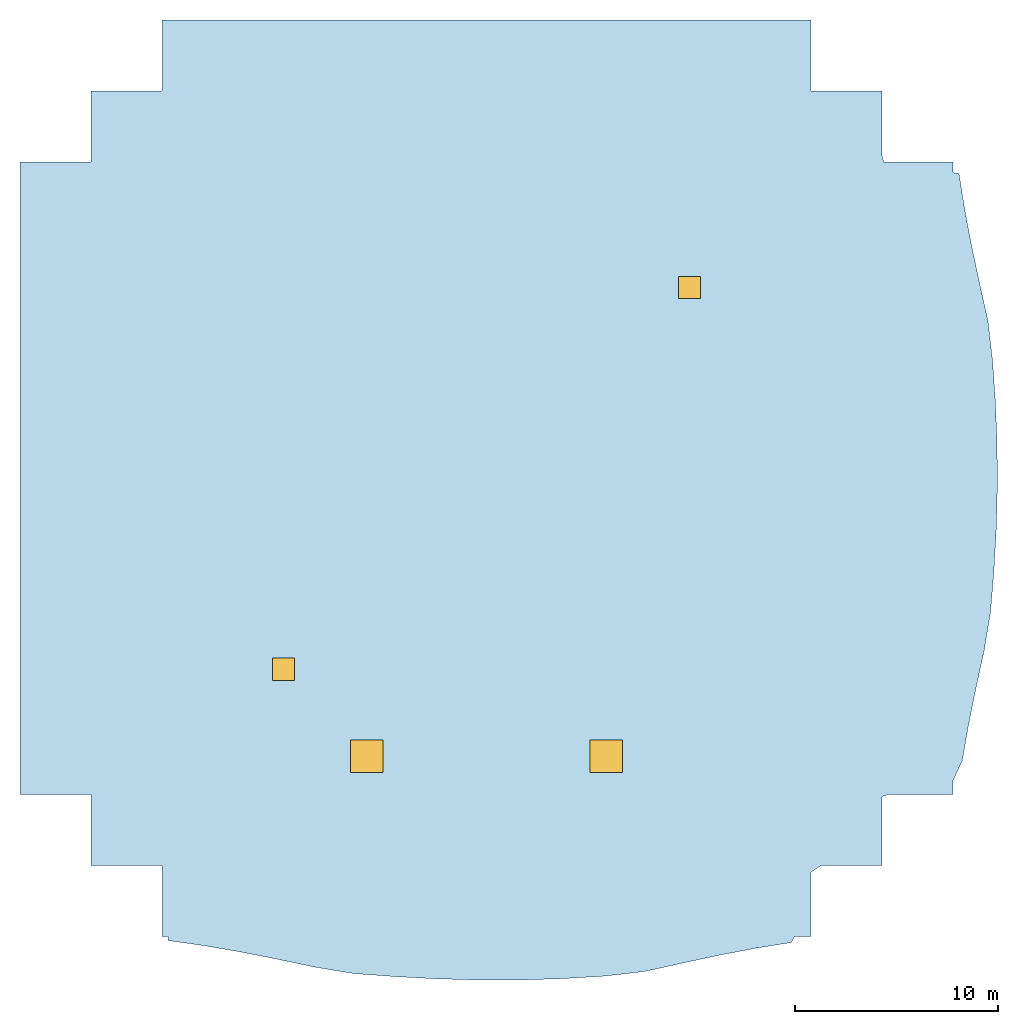
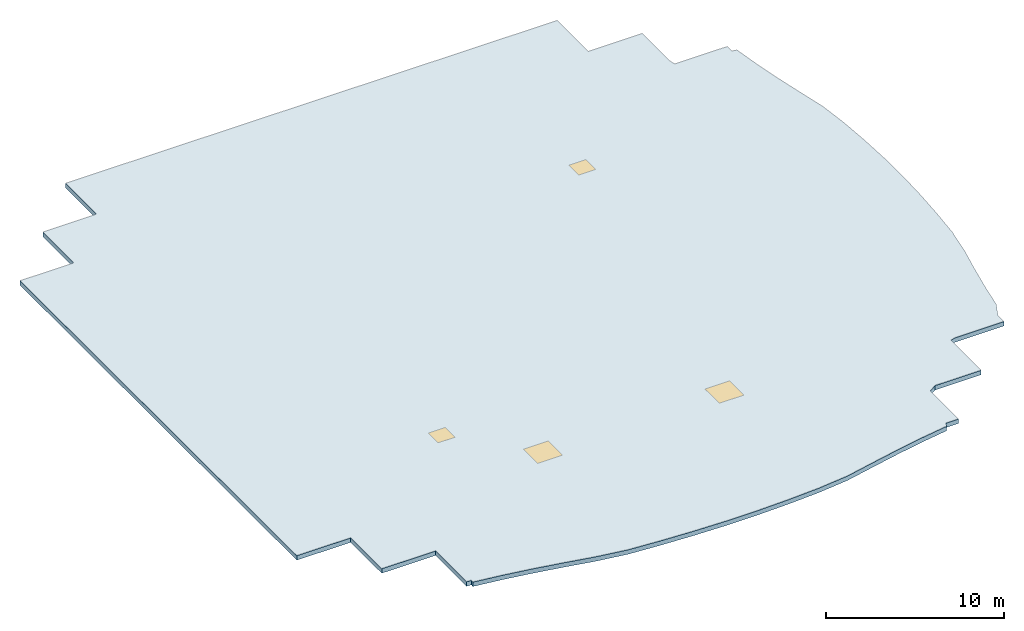
"""IFC4 building model written with IfcOpenShell, lengths in metres."""

from ifc_helpers import new_model, si_unit, direction, frame, origin, origin_2d, place, context, subcontext, project, spatial, polyline, rectangle, outline, extrude, material, layer, layer_set, type_object, element, fill, save


model = new_model("IFC4")

# Units and contexts
model_context = context("Model", 3, precision=1e-05, world=origin(), true_north=direction((0.0, 1.0)))
body_context = subcontext(model_context, "Body", "Model", "MODEL_VIEW")
ifc_project = project(units=[si_unit("LENGTHUNIT", "METRE"), si_unit("AREAUNIT", "SQUARE_METRE"), si_unit("VOLUMEUNIT", "CUBIC_METRE"), si_unit("PLANEANGLEUNIT", "RADIAN"), si_unit("MASSUNIT", "GRAM", prefix="KILO")], contexts=[model_context])

# Site, building, storey
site_placement = place(None, origin())
site = spatial("IfcSite", under=ifc_project, at=site_placement, CompositionType="ELEMENT")
building_placement = place(site_placement, origin())
building = spatial("IfcBuilding", under=site, at=building_placement, Name="Serunith Strait Residences", CompositionType="ELEMENT")
storey_1_placement = place(building_placement, frame((0.0, 0.0, 370.949951171875)))
storey_1 = spatial("IfcBuildingStorey", under=building, at=storey_1_placement, Name="RF", CompositionType="ELEMENT", Elevation=370.949951171875)

# Slab, openings
ifc_material_1 = material(Name="Concrete C50/60", Category="concrete")
ifc_layer = layer(ifc_material_1, 0.300048828125, Name="Concrete C50/60")
ifc_layer_set = layer_set([ifc_layer], Name="Concrete C50/60")
slab_type = type_object("IfcSlabType", Name="SLB-ROOF-300", PredefinedType="ROOF", material=ifc_layer_set)
slab_placement = place(storey_1_placement, frame((0.0, 0.0, -0.300048828125)))
slab = element("IfcSlab", 1, at=slab_placement, inside=storey_1, type_object=slab_type, Name="Crown 5-Lobe Canopy Roof Slab", PredefinedType="ROOF", context=body_context, shape_type="SweptSolid", body=[
    extrude(outline(polyline([(16.419921875, 2.6201171875), (16.419921875, 6.1201171875), (12.919921875, 6.1201171875), (12.919921875, 9.6201171875), (9.419921875, 9.6201171875), (9.419921875, 40.780029296875), (12.919921875, 40.780029296875), (12.919921875, 44.280029296875), (16.367919921875, 44.280029296875), (16.419921875, 44.30712890625), (16.419921875, 47.780029296875), (48.3798828125, 47.780029296875), (48.3798828125, 44.280029296875), (51.8798828125, 44.280029296875), (51.8798828125, 41.16796875), (51.97216796875, 40.780029296875), (55.3798828125, 40.780029296875), (55.3798828125, 40.262451171875), (55.681396484375, 40.218017578125), (55.9609375, 38.452880859375), (56.29931640625, 36.670166015625), (56.68896484375, 34.851806640625), (57.10693359375, 32.97802734375), (57.335693359375, 30.991455078125), (57.4765625, 28.95361328125), (57.55908203125, 26.888916015625), (57.57421875, 24.8115234375), (57.520263671875, 22.73828125), (57.4052734375, 20.685302734375), (57.2421875, 18.66357421875), (56.92333984375, 16.722900390625), (56.5185546875, 14.87158203125), (56.1533203125, 13.066650390625), (55.843017578125, 11.289794921875), (55.3798828125, 10.2958984375), (55.3798828125, 9.6201171875), (52.2109375, 9.6201171875), (51.8798828125, 9.519775390625), (51.8798828125, 6.1201171875), (48.87939453125, 6.1201171875), (48.3798828125, 5.79248046875), (48.3798828125, 2.6201171875), (47.572509765625, 2.6201171875), (47.429931640625, 2.331298828125), (45.667724609375, 2.0498046875), (43.886962890625, 1.708984375), (42.06884765625, 1.31884765625), (40.19287109375, 0.904541015625), (38.20361328125, 0.67431640625), (36.1591796875, 0.5517578125), (34.090087890625, 0.4873046875), (32.011474609375, 0.485107421875), (29.93798828125, 0.54248046875), (27.884033203125, 0.651611328125), (25.859375, 0.80224609375), (23.919921875, 1.122314453125), (22.06591796875, 1.515625), (20.25927734375, 1.8720703125), (18.480712890625, 2.176513671875), (16.715576171875, 2.42529296875), (16.71728515625, 2.6201171875), (16.419921875, 2.6201171875)])), origin(), (0.0, 0.0, 1.0), 0.300048828125),
])
opening_1_placement = place(slab_placement, frame((26.5, 11.5, 0.0)))
opening_1 = element("IfcOpeningElement", 2, at=opening_1_placement, cuts=slab, Name="Opening SK-02", PredefinedType="OPENING", context=body_context, shape_type="SweptSolid", body=[
    extrude(rectangle(XDim=1.60009765625, YDim=1.60009765625, at=origin_2d()), frame((0.0, 0.0, -0.010009765625)), (0.0, 0.0, 1.0), 0.320068359375),
])
opening_2_placement = place(slab_placement, frame((38.300048828125, 11.5, 0.0)))
opening_2 = element("IfcOpeningElement", 3, at=opening_2_placement, cuts=slab, Name="Opening SK-02", PredefinedType="OPENING", context=body_context, shape_type="SweptSolid", body=[
    extrude(rectangle(XDim=1.60009765625, YDim=1.60009765625, at=origin_2d()), frame((0.0, 0.0, -0.010009765625)), (0.0, 0.0, 1.0), 0.320068359375),
])
opening_3_placement = place(slab_placement, frame((22.39990234375, 15.800048828125, 0.0)))
opening_3 = element("IfcOpeningElement", 4, at=opening_3_placement, cuts=slab, Name="Opening RH-01", PredefinedType="OPENING", context=body_context, shape_type="SweptSolid", body=[
    extrude(rectangle(XDim=1.10009765625, YDim=1.10009765625, at=origin_2d()), frame((0.0, 0.0, -0.010009765625)), (0.0, 0.0, 1.0), 0.320068359375),
])
opening_4_placement = place(slab_placement, frame((42.39990234375, 34.60009765625, 0.0)))
opening_4 = element("IfcOpeningElement", 5, at=opening_4_placement, cuts=slab, Name="Opening RH-01", PredefinedType="OPENING", context=body_context, shape_type="SweptSolid", body=[
    extrude(rectangle(XDim=1.10009765625, YDim=1.10009765625, at=origin_2d()), frame((0.0, 0.0, -0.010009765625)), (0.0, 0.0, 1.0), 0.320068359375),
])

# Storey
storey_2_placement = place(building_placement, frame((0.0, 0.0, 365.75)))
storey_2 = spatial("IfcBuildingStorey", under=building, at=storey_2_placement, Name="L89", CompositionType="ELEMENT", Elevation=365.75)

# Door
ifc_material_2 = material(Name="Insulated Aluminium Roof Access Hatch", Category="aluminium")
door_type = type_object("IfcDoorType", Name="HATCH-ROOF-1100", OperationType="SINGLE_SWING_LEFT", PredefinedType="TRAPDOOR", material=ifc_material_2)
door_1_placement = place(opening_3_placement, frame((0.0, 0.0, 0.260009765625)))
door_1 = element("IfcDoor", 6, at=door_1_placement, inside=storey_2, type_object=door_type, Name="L89 Maintenance Access Hatch 01", OperationType="SINGLE_SWING_LEFT", OverallHeight=1.10009765625, OverallWidth=1.10009765625, PredefinedType="TRAPDOOR", context=body_context, shape_type="SweptSolid", body=[
    extrude(rectangle(XDim=1.10009765625, YDim=1.10009765625, at=origin_2d()), origin(), (0.0, 0.0, 1.0), 0.0400390625),
])

fill(opening_3, door_1)

door_2_placement = place(opening_4_placement, frame((0.0, 0.0, 0.260009765625)))
door_2 = element("IfcDoor", 7, at=door_2_placement, inside=storey_2, type_object=door_type, Name="L89 Maintenance Access Hatch 02", OperationType="SINGLE_SWING_LEFT", OverallHeight=1.10009765625, OverallWidth=1.10009765625, PredefinedType="TRAPDOOR", context=body_context, shape_type="SweptSolid", body=[
    extrude(rectangle(XDim=1.10009765625, YDim=1.10009765625, at=origin_2d()), origin(), (0.0, 0.0, 1.0), 0.0400390625),
])

fill(opening_4, door_2)

# Window
ifc_material_3 = material(Name="Laminated Canopy Skylight Glass", Category="glass")
window_type = type_object("IfcWindowType", Name="WIN-SKY2", PartitioningType="SINGLE_PANEL", PredefinedType="SKYLIGHT", material=ifc_material_3)
window_1_placement = place(opening_1_placement, frame((0.0, 0.0, 0.260009765625)))
window_1 = element("IfcWindow", 8, at=window_1_placement, inside=storey_1, type_object=window_type, Name="Crown Canopy Skylight 01", OverallHeight=1.60009765625, OverallWidth=1.60009765625, PartitioningType="SINGLE_PANEL", PredefinedType="SKYLIGHT", context=body_context, shape_type="SweptSolid", body=[
    extrude(rectangle(XDim=1.60009765625, YDim=1.60009765625, at=origin_2d()), origin(), (0.0, 0.0, 1.0), 0.0400390625),
])

fill(opening_1, window_1)

window_2_placement = place(opening_2_placement, frame((0.0, 0.0, 0.260009765625)))
window_2 = element("IfcWindow", 9, at=window_2_placement, inside=storey_1, type_object=window_type, Name="Crown Canopy Skylight 02", OverallHeight=1.60009765625, OverallWidth=1.60009765625, PartitioningType="SINGLE_PANEL", PredefinedType="SKYLIGHT", context=body_context, shape_type="SweptSolid", body=[
    extrude(rectangle(XDim=1.60009765625, YDim=1.60009765625, at=origin_2d()), origin(), (0.0, 0.0, 1.0), 0.0400390625),
])

fill(opening_2, window_2)

save(model, "model.ifc")
